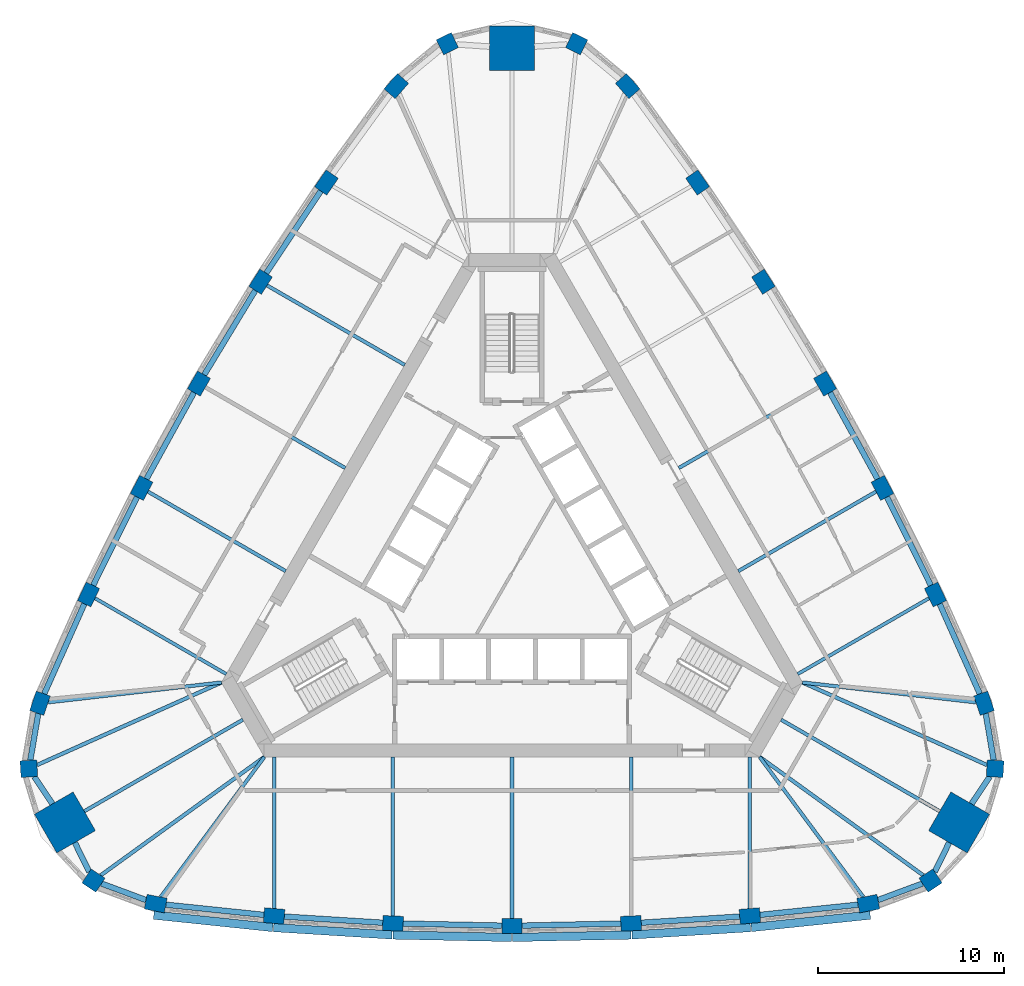
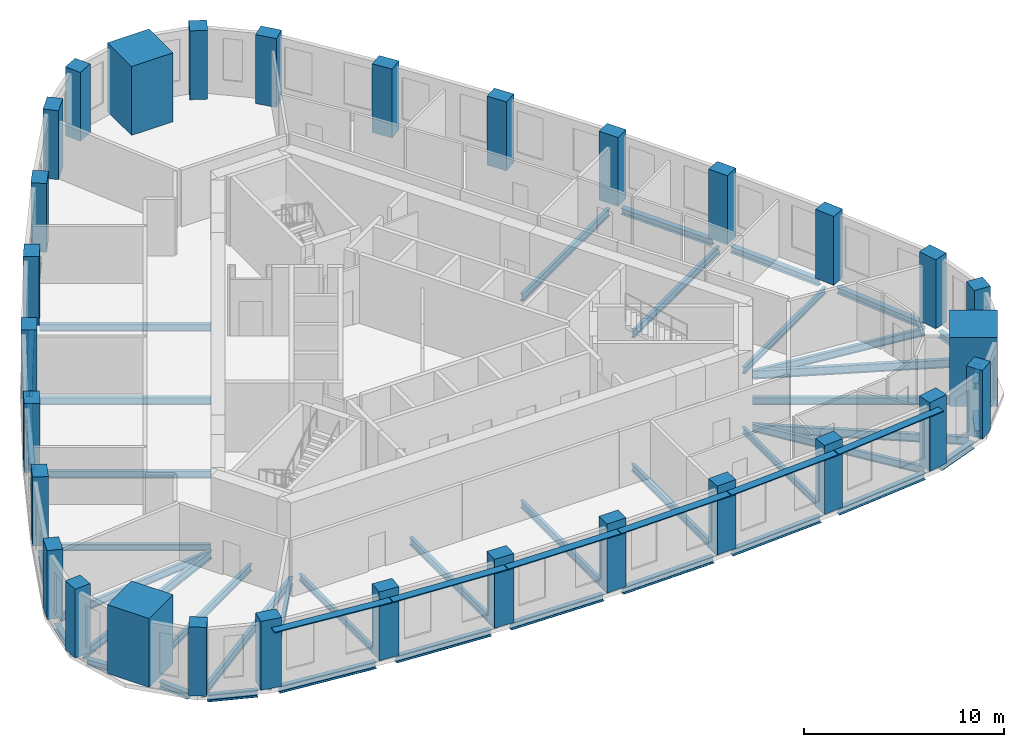
# One storey, part 1 of 10: 44 beams, 30 columns, 6 members.
"""IFC4 building model written with IfcOpenShell, lengths in metres."""

from ifc_helpers import new_model, si_unit, direction, frame, origin, origin_2d, place, context, subcontext, project, spatial, rectangle, i_section, extrude, material, material_profile, profile_set, type_object, element, save


model = new_model("IFC4")

# Units and contexts
model_context = context("Model", 3, precision=1e-05, world=origin(), true_north=direction((0.0, 1.0)))
body_context = subcontext(model_context, "Body", "Model", "MODEL_VIEW")
ifc_project = project(units=[si_unit("LENGTHUNIT", "METRE"), si_unit("AREAUNIT", "SQUARE_METRE"), si_unit("VOLUMEUNIT", "CUBIC_METRE"), si_unit("PLANEANGLEUNIT", "RADIAN"), si_unit("MASSUNIT", "GRAM", prefix="KILO")], contexts=[model_context])

# Site, building, storey
site_placement = place(None, origin())
site = spatial("IfcSite", under=ifc_project, at=site_placement, CompositionType="ELEMENT")
building_placement = place(site_placement, origin())
building = spatial("IfcBuilding", under=site, at=building_placement, Name="Mestral Congress Tower", CompositionType="ELEMENT")
storey_placement = place(building_placement, frame((0.0, 0.0, 235.199951171875)))
storey = spatial("IfcBuildingStorey", under=building, at=storey_placement, Name="L55", CompositionType="ELEMENT", Elevation=235.199951171875)

# Columns
ifc_material_1 = material(Name="Concrete C60/75", Category="concrete")
ifc_material_profile_1 = material_profile(ifc_material_1, rectangle(XDim=1.10009765625, YDim=0.800048828125, at=origin_2d()), Name="RC 1100x800")
ifc_profile_set_1 = profile_set([ifc_material_profile_1], Name="Concrete C60/75")
column_type_1 = type_object("IfcColumnType", Name="Column RC 1100x800 C60/75", PredefinedType="COLUMN", material=ifc_profile_set_1)
for number, where, z_axis, x_axis, name in (
    (1, (-19.150390625, -18.23681640625, 0.0), (0.0, 0.0, 1.0), (0.981324571854, -0.192359259395, 0.0), "COL-L55-C4-S00"),
    (2, (-12.785400390625, -18.899658203125, 0.0), (0.0, 0.0, 1.0), (0.996556680667, -0.082914306473, 0.0), "COL-L55-C4-S01"),
    (3, (-6.398193359375, -19.2978515625, 0.0), (0.0, 0.0, 1.0), (0.999138835542, -0.041492015025, 0.0), "COL-L55-C4-S02"),
    (4, (0.0, -19.4306640625, 0.0), (0.0, 0.0, 1.0), (1.0, 0.0, 0.0), "COL-L55-C4-S03"),
    (5, (6.398193359375, -19.2978515625, 0.0), (0.0, 0.0, 1.0), (0.999138835542, 0.041492015025, 0.0), "COL-L55-C4-S04"),
    (6, (12.785400390625, -18.899658203125, 0.0), (0.0, 0.0, 1.0), (0.996556680667, 0.082914306473, 0.0), "COL-L55-C4-S05"),
    (7, (19.150390625, -18.23681640625, 0.0), (0.0, 0.0, 1.0), (0.981324571854, 0.192359259395, 0.0), "COL-L55-C4-S06"),
    (8, (25.368896484375, -7.46630859375, 0.0), (0.0, 0.0, 1.0), (-0.324074280638, 0.946031638281, 0.0), "COL-L55-C4-E00"),
    (9, (22.76025390625, -1.62255859375, 0.0), (0.0, 0.0, 1.0), (-0.426472444591, 0.904500555005, 0.0), "COL-L55-C4-E01"),
    (10, (19.91162109375, 4.10791015625, 0.0), (0.0, 0.0, 1.0), (-0.463636278705, 0.886025621, 0.0), "COL-L55-C4-E02"),
    (11, (16.827392578125, 9.71533203125, 0.0), (0.0, 0.0, 1.0), (-0.5, 0.866025403784, 0.0), "COL-L55-C4-E03"),
    (12, (13.51318359375, 15.18994140625, 0.0), (0.0, 0.0, 1.0), (-0.535502556837, 0.844533605975, 0.0), "COL-L55-C4-E04"),
    (13, (9.974853515625, 20.522216796875, 0.0), (0.0, 0.0, 1.0), (-0.570084236076, 0.821586248532, 0.0), "COL-L55-C4-E05"),
    (14, (6.218505859375, 25.703125, 0.0), (0.0, 0.0, 1.0), (-0.657250291216, 0.753672378886, 0.0), "COL-L55-C4-E06"),
    (15, (-6.218505859375, 25.703125, 0.0), (0.0, 0.0, 1.0), (-0.657250291216, -0.753672378886, 0.0), "COL-L55-C4-W00"),
    (16, (-9.974853515625, 20.522216796875, 0.0), (0.0, 0.0, 1.0), (-0.570084236076, -0.821586248532, 0.0), "COL-L55-C4-W01"),
    (17, (-13.51318359375, 15.18994140625, 0.0), (0.0, 0.0, 1.0), (-0.535502556837, -0.844533605975, 0.0), "COL-L55-C4-W02"),
    (18, (-16.827392578125, 9.71533203125, 0.0), (0.0, 0.0, 1.0), (-0.5, -0.866025403784, 0.0), "COL-L55-C4-W03"),
    (19, (-19.91162109375, 4.10791015625, 0.0), (0.0, 0.0, 1.0), (-0.463636278705, -0.886025621, 0.0), "COL-L55-C4-W04"),
    (20, (-22.76025390625, -1.62255859375, 0.0), (0.0, 0.0, 1.0), (-0.426472444591, -0.904500555005, 0.0), "COL-L55-C4-W05"),
    (21, (-25.368896484375, -7.46630859375, 0.0), (0.0, 0.0, 1.0), (-0.324074280638, -0.946031638281, 0.0), "COL-L55-C4-W06"),
):
    element("IfcColumn", number, at=place(storey_placement, frame(where, z_axis=z_axis, x_axis=x_axis)), inside=storey, type_object=column_type_1, Name=name, PredefinedType="COLUMN", context=body_context, shape_type="SweptSolid", body=[
        extrude(rectangle(XDim=1.10009765625, YDim=0.800048828125, at=origin_2d()), origin(), (0.0, 0.0, 1.0), 4.199951171875),
    ])
ifc_material_profile_2 = material_profile(ifc_material_1, rectangle(XDim=0.89990234375, YDim=0.89990234375, at=origin_2d()), Name="RC 900x900")
ifc_profile_set_2 = profile_set([ifc_material_profile_2], Name="Concrete C60/75")
column_type_2 = type_object("IfcColumnType", Name="Column RC 900x900 C60/75", PredefinedType="COLUMN", material=ifc_profile_set_2)
for number, where, z_axis, x_axis, name in (
    (22, (22.494384765625, -16.99658203125, 0.0), (0.0, 0.0, 1.0), (0.833238868178, 0.552913183563, 0.0), "COL-L55-C4-SE1"),
    (23, (25.966552734375, -10.982421875, 0.0), (0.0, 0.0, 1.0), (0.062217428964, 0.998062619044, 0.0), "COL-L55-C4-SE3"),
    (24, (3.47216796875, 27.97900390625, 0.0), (0.0, 0.0, 1.0), (-0.895456297142, 0.445149435481, 0.0), "COL-L55-C4-N1"),
    (25, (-3.47216796875, 27.97900390625, 0.0), (0.0, 0.0, 1.0), (-0.895456297142, -0.445149435481, 0.0), "COL-L55-C4-N3"),
    (26, (-25.966552734375, -10.982421875, 0.0), (0.0, 0.0, 1.0), (0.062217428964, -0.998062619044, 0.0), "COL-L55-C4-SW1"),
    (27, (-22.494384765625, -16.99658203125, 0.0), (0.0, 0.0, 1.0), (0.833238868178, -0.552913183563, 0.0), "COL-L55-C4-SW3"),
):
    element("IfcColumn", number, at=place(storey_placement, frame(where, z_axis=z_axis, x_axis=x_axis)), inside=storey, type_object=column_type_2, Name=name, PredefinedType="COLUMN", context=body_context, shape_type="SweptSolid", body=[
        extrude(rectangle(XDim=0.89990234375, YDim=0.89990234375, at=origin_2d()), origin(), (0.0, 0.0, 1.0), 4.199951171875),
    ])
ifc_material_2 = material(Name="Concrete C70/85", Category="concrete")
ifc_material_profile_3 = material_profile(ifc_material_2, rectangle(XDim=2.39990234375, YDim=2.39990234375, at=origin_2d()), Name="RC 2400x2400")
ifc_profile_set_3 = profile_set([ifc_material_profile_3], Name="Concrete C70/85")
column_type_3 = type_object("IfcColumnType", Name="Mega column RC 2400x2400 C70/85", PredefinedType="COLUMN", material=ifc_profile_set_3)
for number, where, z_axis, x_axis, name in (
    (28, (24.02734375, -13.872314453125, 0.0), (0.0, 0.0, 1.0), (0.866025403784, -0.5, 0.0), "COL-L55-PY4-SE"),
    (29, (0.0, 27.744384765625, 0.0), (0.0, 0.0, 1.0), (0.0, 1.0, 0.0), "COL-L55-PY4-N"),
    (30, (-24.02734375, -13.872314453125, 0.0), (0.0, 0.0, 1.0), (-0.866025403784, -0.5, 0.0), "COL-L55-PY4-SW"),
):
    element("IfcColumn", number, at=place(storey_placement, frame(where, z_axis=z_axis, x_axis=x_axis)), inside=storey, type_object=column_type_3, Name=name, PredefinedType="COLUMN", context=body_context, shape_type="SweptSolid", body=[
        extrude(rectangle(XDim=2.39990234375, YDim=2.39990234375, at=origin_2d()), origin(), (0.0, 0.0, 1.0), 4.199951171875),
    ])

# Members
ifc_material_3 = material(Name="Glazed ceramic", Category="masonry")
ifc_material_profile_4 = material_profile(ifc_material_3, rectangle(XDim=0.449951171875, YDim=0.06005859375, at=origin_2d()), Name="Ceramic blade 450 x 60")
ifc_profile_set_4 = profile_set([ifc_material_profile_4], Name="Glazed ceramic")
member_type = type_object("IfcMemberType", Name="Facade sunshade blade 450 x 60", PredefinedType="USERDEFINED", material=ifc_profile_set_4)
member_1_placement = place(storey_placement, frame((-19.251708984375, -18.8544921875, 3.679931640625), z_axis=(0.994617919471, -0.103610782581, 0.0), x_axis=(0.103610782581, 0.994617919471, 0.0)))
element("IfcMember", 31, at=member_1_placement, inside=storey, type_object=member_type, Name="Sunshade F0-00", ObjectType="SUNSHADE", PredefinedType="USERDEFINED", context=body_context, shape_type="SweptSolid", body=[
    extrude(rectangle(XDim=0.449951171875, YDim=0.06005859375, at=origin_2d()), origin(), (0.0, 0.0, 1.0), 6.42578125),
])
member_2_placement = place(storey_placement, frame((-12.8134765625, -19.524169921875, 3.679931640625), z_axis=(0.99806373271, -0.062199561482, 0.0), x_axis=(0.062199561482, 0.99806373271, 0.0)))
element("IfcMember", 32, at=member_2_placement, inside=storey, type_object=member_type, Name="Sunshade F0-01", ObjectType="SUNSHADE", PredefinedType="USERDEFINED", context=body_context, shape_type="SweptSolid", body=[
    extrude(rectangle(XDim=0.449951171875, YDim=0.06005859375, at=origin_2d()), origin(), (0.0, 0.0, 1.0), 6.37841796875),
])
for number, where, z_axis, x_axis, name in (
    (33, (-6.400390625, -19.9228515625, 3.679931640625), (0.99978476383, -0.0207467109, 0.0), (0.0207467109, 0.99978476383, 0.0), "Sunshade F0-02"),
    (34, (0.023681640625, -20.05517578125, 3.679931640625), (0.99978476383, 0.0207467109, 0.0), (-0.0207467109, 0.99978476383, 0.0), "Sunshade F0-03"),
):
    element("IfcMember", number, at=place(storey_placement, frame(where, z_axis=z_axis, x_axis=x_axis)), inside=storey, type_object=member_type, Name=name, ObjectType="SUNSHADE", PredefinedType="USERDEFINED", context=body_context, shape_type="SweptSolid", body=[
        extrude(rectangle(XDim=0.449951171875, YDim=0.06005859375, at=origin_2d()), origin(), (0.0, 0.0, 1.0), 6.378173828125),
    ])
member_3_placement = place(storey_placement, frame((6.447509765625, -19.9208984375, 3.679931640625), z_axis=(0.99806373271, 0.062199561482, 0.0), x_axis=(-0.062199561482, 0.99806373271, 0.0)))
element("IfcMember", 35, at=member_3_placement, inside=storey, type_object=member_type, Name="Sunshade F0-04", ObjectType="SUNSHADE", PredefinedType="USERDEFINED", context=body_context, shape_type="SweptSolid", body=[
    extrude(rectangle(XDim=0.449951171875, YDim=0.06005859375, at=origin_2d()), origin(), (0.0, 0.0, 1.0), 6.37841796875),
])
member_4_placement = place(storey_placement, frame((12.860595703125, -19.520263671875, 3.679931640625), z_axis=(0.994617919471, 0.103610782581, 0.0), x_axis=(-0.103610782581, 0.994617919471, 0.0)))
element("IfcMember", 36, at=member_4_placement, inside=storey, type_object=member_type, Name="Sunshade F0-05", ObjectType="SUNSHADE", PredefinedType="USERDEFINED", context=body_context, shape_type="SweptSolid", body=[
    extrude(rectangle(XDim=0.449951171875, YDim=0.06005859375, at=origin_2d()), origin(), (0.0, 0.0, 1.0), 6.42578125),
])

# Beams
ifc_material_4 = material(Name="Steel S355", Category="steel")
ifc_material_profile_5 = material_profile(ifc_material_4, i_section(OverallWidth=0.179931640625, OverallDepth=0.39990234375, WebThickness=0.008544921875, FlangeThickness=0.013427734375, FilletRadius=0.02099609375, at=origin_2d()), Name="IPE 400")
ifc_profile_set_5 = profile_set([ifc_material_profile_5], Name="Steel S355")
beam_type_1 = type_object("IfcBeamType", Name="Floor beam IPE 400 S355", PredefinedType="BEAM", material=ifc_profile_set_5)
for number, where, z_axis, x_axis, name in (
    (37, (-12.785400390625, -18.498291015625, -0.449951171875), (0.0, 1.0, 0.0), (-1.0, 0.0, 0.0), "BM-L55-RB4-S01"),
    (38, (12.785400390625, -18.498291015625, -0.449951171875), (0.0, 1.0, 0.0), (-1.0, 0.0, 0.0), "BM-L55-RB4-S05"),
):
    element("IfcBeam", number, at=place(storey_placement, frame(where, z_axis=z_axis, x_axis=x_axis)), inside=storey, type_object=beam_type_1, Name=name, PredefinedType="BEAM", context=body_context, shape_type="SweptSolid", body=[
        extrude(i_section(OverallWidth=0.179931640625, OverallDepth=0.39990234375, WebThickness=0.008544921875, FlangeThickness=0.013427734375, FilletRadius=0.02099609375, at=origin_2d()), origin(), (0.0, 0.0, 1.0), 8.148193359375),
    ])
for number, where, z_axis, x_axis, name in (
    (39, (22.41259765625, -1.8232421875, -0.449951171875), (-0.866021929094, -0.500006018292, 0.0), (0.500006018292, -0.866021929094, 0.0), "BM-L55-RB4-E01"),
    (40, (-22.41259765625, -1.8232421875, -0.449951171875), (0.866021929094, -0.500006018292, 0.0), (0.500006018292, 0.866021929094, 0.0), "BM-L55-RB4-W05"),
):
    element("IfcBeam", number, at=place(storey_placement, frame(where, z_axis=z_axis, x_axis=x_axis)), inside=storey, type_object=beam_type_1, Name=name, PredefinedType="BEAM", context=body_context, shape_type="SweptSolid", body=[
        extrude(i_section(OverallWidth=0.179931640625, OverallDepth=0.39990234375, WebThickness=0.008544921875, FlangeThickness=0.013427734375, FilletRadius=0.02099609375, at=origin_2d()), origin(), (0.0, 0.0, 1.0), 8.1484375),
    ])
ifc_material_profile_6 = material_profile(ifc_material_4, i_section(OverallWidth=0.18994140625, OverallDepth=0.449951171875, WebThickness=0.009521484375, FlangeThickness=0.0146484375, FilletRadius=0.02099609375, at=origin_2d()), Name="IPE 450")
ifc_profile_set_6 = profile_set([ifc_material_profile_6], Name="Steel S355")
beam_type_2 = type_object("IfcBeamType", Name="Floor beam IPE 450 S355", PredefinedType="BEAM", material=ifc_profile_set_6)
beam_1_placement = place(storey_placement, frame((-18.88671875, -17.880859375, -0.474853515625), z_axis=(0.595263059859, 0.803530888994, 0.0), x_axis=(-0.803530888994, 0.595263059859, 0.0)))
element("IfcBeam", 41, at=beam_1_placement, inside=storey, type_object=beam_type_2, Name="BM-L55-RB4-S00", PredefinedType="BEAM", context=body_context, shape_type="SweptSolid", body=[
    extrude(i_section(OverallWidth=0.18994140625, OverallDepth=0.449951171875, WebThickness=0.009521484375, FlangeThickness=0.0146484375, FilletRadius=0.02099609375, at=origin_2d()), origin(), (0.0, 0.0, 1.0), 9.3720703125),
])
beam_2_placement = place(storey_placement, frame((-6.398193359375, -18.8974609375, -0.474853515625), z_axis=(0.0, 1.0, 0.0), x_axis=(-1.0, 0.0, 0.0)))
element("IfcBeam", 42, at=beam_2_placement, inside=storey, type_object=beam_type_2, Name="BM-L55-RB4-S02", PredefinedType="BEAM", context=body_context, shape_type="SweptSolid", body=[
    extrude(i_section(OverallWidth=0.18994140625, OverallDepth=0.449951171875, WebThickness=0.009521484375, FlangeThickness=0.0146484375, FilletRadius=0.02099609375, at=origin_2d()), origin(), (0.0, 0.0, 1.0), 8.54736328125),
])
beam_3_placement = place(storey_placement, frame((0.0, -19.030517578125, -0.474853515625), z_axis=(0.0, 1.0, 0.0), x_axis=(-1.0, 0.0, 0.0)))
element("IfcBeam", 43, at=beam_3_placement, inside=storey, type_object=beam_type_2, Name="BM-L55-RB4-S03", PredefinedType="BEAM", context=body_context, shape_type="SweptSolid", body=[
    extrude(i_section(OverallWidth=0.18994140625, OverallDepth=0.449951171875, WebThickness=0.009521484375, FlangeThickness=0.0146484375, FilletRadius=0.02099609375, at=origin_2d()), origin(), (0.0, 0.0, 1.0), 8.680419921875),
])
beam_4_placement = place(storey_placement, frame((6.398193359375, -18.8974609375, -0.474853515625), z_axis=(0.0, 1.0, 0.0), x_axis=(-1.0, 0.0, 0.0)))
element("IfcBeam", 44, at=beam_4_placement, inside=storey, type_object=beam_type_2, Name="BM-L55-RB4-S04", PredefinedType="BEAM", context=body_context, shape_type="SweptSolid", body=[
    extrude(i_section(OverallWidth=0.18994140625, OverallDepth=0.449951171875, WebThickness=0.009521484375, FlangeThickness=0.0146484375, FilletRadius=0.02099609375, at=origin_2d()), origin(), (0.0, 0.0, 1.0), 8.54736328125),
])
beam_5_placement = place(storey_placement, frame((18.88671875, -17.880859375, -0.474853515625), z_axis=(-0.595263059859, 0.803530888994, 0.0), x_axis=(-0.803530888994, -0.595263059859, 0.0)))
element("IfcBeam", 45, at=beam_5_placement, inside=storey, type_object=beam_type_2, Name="BM-L55-RB4-S06", PredefinedType="BEAM", context=body_context, shape_type="SweptSolid", body=[
    extrude(i_section(OverallWidth=0.18994140625, OverallDepth=0.449951171875, WebThickness=0.009521484375, FlangeThickness=0.0146484375, FilletRadius=0.02099609375, at=origin_2d()), origin(), (0.0, 0.0, 1.0), 9.3720703125),
])
beam_6_placement = place(storey_placement, frame((22.98828125, -13.272216796875, -0.474853515625), z_axis=(-0.866021631874, 0.500006533084, 0.0), x_axis=(-0.500006533084, -0.866021631874, 0.0)))
element("IfcBeam", 46, at=beam_6_placement, inside=storey, type_object=beam_type_2, Name="BM-L55-RB4-SE", PredefinedType="BEAM", context=body_context, shape_type="SweptSolid", body=[
    extrude(i_section(OverallWidth=0.18994140625, OverallDepth=0.449951171875, WebThickness=0.009521484375, FlangeThickness=0.0146484375, FilletRadius=0.02099609375, at=origin_2d()), origin(), (0.0, 0.0, 1.0), 9.844482421875),
])
beam_7_placement = place(storey_placement, frame((24.9287109375, -7.416015625, -0.474853515625), z_axis=(-0.99351166529, 0.11373025513, 0.0), x_axis=(-0.11373025513, -0.99351166529, 0.0)))
element("IfcBeam", 47, at=beam_7_placement, inside=storey, type_object=beam_type_2, Name="BM-L55-RB4-E00", PredefinedType="BEAM", context=body_context, shape_type="SweptSolid", body=[
    extrude(i_section(OverallWidth=0.18994140625, OverallDepth=0.449951171875, WebThickness=0.009521484375, FlangeThickness=0.0146484375, FilletRadius=0.02099609375, at=origin_2d()), origin(), (0.0, 0.0, 1.0), 9.372314453125),
])
beam_8_placement = place(storey_placement, frame((19.564697265625, 3.90771484375, -0.474853515625), z_axis=(-0.866028621479, -0.499994426748, 0.0), x_axis=(0.499994426748, -0.866028621479, 0.0)))
element("IfcBeam", 48, at=beam_8_placement, inside=storey, type_object=beam_type_2, Name="BM-L55-RB4-E02", PredefinedType="BEAM", context=body_context, shape_type="SweptSolid", body=[
    extrude(i_section(OverallWidth=0.18994140625, OverallDepth=0.449951171875, WebThickness=0.009521484375, FlangeThickness=0.0146484375, FilletRadius=0.02099609375, at=origin_2d()), origin(), (0.0, 0.0, 1.0), 8.54736328125),
])
beam_9_placement = place(storey_placement, frame((16.48095703125, 9.515380859375, -0.474853515625), z_axis=(-0.866022596503, -0.500004862322, 0.0), x_axis=(0.500004862322, -0.866022596503, 0.0)))
element("IfcBeam", 49, at=beam_9_placement, inside=storey, type_object=beam_type_2, Name="BM-L55-RB4-E03", PredefinedType="BEAM", context=body_context, shape_type="SweptSolid", body=[
    extrude(i_section(OverallWidth=0.18994140625, OverallDepth=0.449951171875, WebThickness=0.009521484375, FlangeThickness=0.0146484375, FilletRadius=0.02099609375, at=origin_2d()), origin(), (0.0, 0.0, 1.0), 8.6806640625),
])
beam_10_placement = place(storey_placement, frame((-13.16650390625, 14.98974609375, -0.474853515625), z_axis=(0.866028621479, -0.499994426748, 0.0), x_axis=(0.499994426748, 0.866028621479, 0.0)))
element("IfcBeam", 50, at=beam_10_placement, inside=storey, type_object=beam_type_2, Name="BM-L55-RB4-W02", PredefinedType="BEAM", context=body_context, shape_type="SweptSolid", body=[
    extrude(i_section(OverallWidth=0.18994140625, OverallDepth=0.449951171875, WebThickness=0.009521484375, FlangeThickness=0.0146484375, FilletRadius=0.02099609375, at=origin_2d()), origin(), (0.0, 0.0, 1.0), 8.54736328125),
])
beam_11_placement = place(storey_placement, frame((-16.48095703125, 9.515380859375, -0.474853515625), z_axis=(0.866022596503, -0.500004862322, 0.0), x_axis=(0.500004862322, 0.866022596503, 0.0)))
element("IfcBeam", 51, at=beam_11_placement, inside=storey, type_object=beam_type_2, Name="BM-L55-RB4-W03", PredefinedType="BEAM", context=body_context, shape_type="SweptSolid", body=[
    extrude(i_section(OverallWidth=0.18994140625, OverallDepth=0.449951171875, WebThickness=0.009521484375, FlangeThickness=0.0146484375, FilletRadius=0.02099609375, at=origin_2d()), origin(), (0.0, 0.0, 1.0), 8.6806640625),
])
beam_12_placement = place(storey_placement, frame((-19.564697265625, 3.90771484375, -0.474853515625), z_axis=(0.866028621479, -0.499994426748, 0.0), x_axis=(0.499994426748, 0.866028621479, 0.0)))
element("IfcBeam", 52, at=beam_12_placement, inside=storey, type_object=beam_type_2, Name="BM-L55-RB4-W04", PredefinedType="BEAM", context=body_context, shape_type="SweptSolid", body=[
    extrude(i_section(OverallWidth=0.18994140625, OverallDepth=0.449951171875, WebThickness=0.009521484375, FlangeThickness=0.0146484375, FilletRadius=0.02099609375, at=origin_2d()), origin(), (0.0, 0.0, 1.0), 8.54736328125),
])
beam_13_placement = place(storey_placement, frame((-24.9287109375, -7.416015625, -0.474853515625), z_axis=(0.99351166529, 0.11373025513, 0.0), x_axis=(-0.11373025513, 0.99351166529, 0.0)))
element("IfcBeam", 53, at=beam_13_placement, inside=storey, type_object=beam_type_2, Name="BM-L55-RB4-W06", PredefinedType="BEAM", context=body_context, shape_type="SweptSolid", body=[
    extrude(i_section(OverallWidth=0.18994140625, OverallDepth=0.449951171875, WebThickness=0.009521484375, FlangeThickness=0.0146484375, FilletRadius=0.02099609375, at=origin_2d()), origin(), (0.0, 0.0, 1.0), 9.372314453125),
])
beam_14_placement = place(storey_placement, frame((-22.98828125, -13.272216796875, -0.474853515625), z_axis=(0.866021631874, 0.500006533084, 0.0), x_axis=(-0.500006533084, 0.866021631874, 0.0)))
element("IfcBeam", 54, at=beam_14_placement, inside=storey, type_object=beam_type_2, Name="BM-L55-RB4-SW", PredefinedType="BEAM", context=body_context, shape_type="SweptSolid", body=[
    extrude(i_section(OverallWidth=0.18994140625, OverallDepth=0.449951171875, WebThickness=0.009521484375, FlangeThickness=0.0146484375, FilletRadius=0.02099609375, at=origin_2d()), origin(), (0.0, 0.0, 1.0), 9.844482421875),
])
ifc_material_profile_7 = material_profile(ifc_material_4, i_section(OverallWidth=0.199951171875, OverallDepth=0.5, WebThickness=0.01025390625, FlangeThickness=0.01611328125, FilletRadius=0.02099609375, at=origin_2d()), Name="IPE 500")
ifc_profile_set_7 = profile_set([ifc_material_profile_7], Name="Steel S355")
beam_type_3 = type_object("IfcBeamType", Name="Floor beam IPE 500 S355", PredefinedType="BEAM", material=ifc_profile_set_7)
beam_15_placement = place(storey_placement, frame((22.10498046875, -16.71484375, -0.5), z_axis=(-0.810186242112, 0.586172545496, 0.0), x_axis=(-0.586172545496, -0.810186242112, 0.0)))
element("IfcBeam", 55, at=beam_15_placement, inside=storey, type_object=beam_type_3, Name="BM-L55-RB4-SE1", PredefinedType="BEAM", context=body_context, shape_type="SweptSolid", body=[
    extrude(i_section(OverallWidth=0.199951171875, OverallDepth=0.5, WebThickness=0.01025390625, FlangeThickness=0.01611328125, FilletRadius=0.02099609375, at=origin_2d()), origin(), (0.0, 0.0, 1.0), 10.858154296875),
])
for number, where, z_axis, x_axis, name in (
    (56, (25.528076171875, -10.7861328125, -0.5), (-0.912742142995, 0.408536143323, 0.0), (-0.408536143323, -0.912742142995, 0.0), "BM-L55-RB4-SE3"),
    (57, (-25.528076171875, -10.7861328125, -0.5), (0.912742142995, 0.408536143323, 0.0), (-0.408536143323, 0.912742142995, 0.0), "BM-L55-RB4-SW1"),
):
    element("IfcBeam", number, at=place(storey_placement, frame(where, z_axis=z_axis, x_axis=x_axis)), inside=storey, type_object=beam_type_3, Name=name, PredefinedType="BEAM", context=body_context, shape_type="SweptSolid", body=[
        extrude(i_section(OverallWidth=0.199951171875, OverallDepth=0.5, WebThickness=0.01025390625, FlangeThickness=0.01611328125, FilletRadius=0.02099609375, at=origin_2d()), origin(), (0.0, 0.0, 1.0), 10.8583984375),
    ])
beam_16_placement = place(storey_placement, frame((-22.10498046875, -16.71484375, -0.5), z_axis=(0.810186242112, 0.586172545496, 0.0), x_axis=(-0.586172545496, 0.810186242112, 0.0)))
element("IfcBeam", 58, at=beam_16_placement, inside=storey, type_object=beam_type_3, Name="BM-L55-RB4-SW3", PredefinedType="BEAM", context=body_context, shape_type="SweptSolid", body=[
    extrude(i_section(OverallWidth=0.199951171875, OverallDepth=0.5, WebThickness=0.01025390625, FlangeThickness=0.01611328125, FilletRadius=0.02099609375, at=origin_2d()), origin(), (0.0, 0.0, 1.0), 10.858154296875),
])
ifc_material_profile_8 = material_profile(ifc_material_4, i_section(OverallWidth=0.300048828125, OverallDepth=0.389892578125, WebThickness=0.010986328125, FlangeThickness=0.01904296875, FilletRadius=0.027099609375, at=origin_2d()), Name="HEA 400")
ifc_profile_set_8 = profile_set([ifc_material_profile_8], Name="Steel S355")
beam_type_4 = type_object("IfcBeamType", Name="Spandrel beam HEA 400 S355", PredefinedType="BEAM", material=ifc_profile_set_8)
beam_17_placement = place(storey_placement, frame((-18.60107421875, -18.2939453125, -0.445068359375), z_axis=(0.994618013093, -0.103609883848, 0.0), x_axis=(0.103609883848, 0.994618013093, 0.0)))
element("IfcBeam", 59, at=beam_17_placement, inside=storey, type_object=beam_type_4, Name="SP-L55-SB4-S00", PredefinedType="BEAM", context=body_context, shape_type="SweptSolid", body=[
    extrude(i_section(OverallWidth=0.300048828125, OverallDepth=0.389892578125, WebThickness=0.010986328125, FlangeThickness=0.01904296875, FilletRadius=0.027099609375, at=origin_2d()), origin(), (0.0, 0.0, 1.0), 5.297119140625),
])
for number, where, z_axis, x_axis, name in (
    (60, (-12.236328125, -18.933837890625, -0.445068359375), (0.998061173507, -0.062240613248, 0.0), (0.062240613248, 0.998061173507, 0.0), "SP-L55-SB4-S01"),
    (61, (-5.84814453125, -19.309326171875, -0.445068359375), (0.999785070758, -0.020731914743, 0.0), (0.020731914743, 0.999785070758, 0.0), "SP-L55-SB4-S02"),
    (62, (0.550048828125, -19.419189453125, -0.445068359375), (0.999785070758, 0.020731914743, 0.0), (-0.020731914743, 0.999785070758, 0.0), "SP-L55-SB4-S03"),
    (63, (6.947265625, -19.263671875, -0.445068359375), (0.998061173507, 0.062240613248, 0.0), (-0.062240613248, 0.998061173507, 0.0), "SP-L55-SB4-S04"),
):
    element("IfcBeam", number, at=place(storey_placement, frame(where, z_axis=z_axis, x_axis=x_axis)), inside=storey, type_object=beam_type_4, Name=name, PredefinedType="BEAM", context=body_context, shape_type="SweptSolid", body=[
        extrude(i_section(OverallWidth=0.300048828125, OverallDepth=0.389892578125, WebThickness=0.010986328125, FlangeThickness=0.01904296875, FilletRadius=0.027099609375, at=origin_2d()), origin(), (0.0, 0.0, 1.0), 5.29931640625),
    ])
beam_18_placement = place(storey_placement, frame((13.33251953125, -18.8427734375, -0.445068359375), z_axis=(0.994618013093, 0.103609883848, 0.0), x_axis=(-0.103609883848, 0.994618013093, 0.0)))
element("IfcBeam", 64, at=beam_18_placement, inside=storey, type_object=beam_type_4, Name="SP-L55-SB4-S05", PredefinedType="BEAM", context=body_context, shape_type="SweptSolid", body=[
    extrude(i_section(OverallWidth=0.300048828125, OverallDepth=0.389892578125, WebThickness=0.010986328125, FlangeThickness=0.01904296875, FilletRadius=0.027099609375, at=origin_2d()), origin(), (0.0, 0.0, 1.0), 5.297119140625),
])
beam_19_placement = place(storey_placement, frame((19.6728515625, -18.04296875, -0.445068359375), z_axis=(0.937591421971, 0.347738875374, 0.0), x_axis=(-0.347738875374, 0.937591421971, 0.0)))
element("IfcBeam", 65, at=beam_19_placement, inside=storey, type_object=beam_type_4, Name="SP-L55-SB4-S06", PredefinedType="BEAM", context=body_context, shape_type="SweptSolid", body=[
    extrude(i_section(OverallWidth=0.300048828125, OverallDepth=0.389892578125, WebThickness=0.010986328125, FlangeThickness=0.01904296875, FilletRadius=0.027099609375, at=origin_2d()), origin(), (0.0, 0.0, 1.0), 2.547119140625),
])
for number, where, z_axis, x_axis, name in (
    (66, (22.723876953125, -16.528564453125, -0.445068359375), (0.440528581483, 0.897738586058, 0.0), (-0.897738586058, 0.440528581483, 0.0), "SP-L55-SB4-SE1"),
    (67, (24.697509765625, -12.87353515625, -0.445068359375), (0.557295931564, 0.830313943435, 0.0), (-0.830313943435, 0.557295931564, 0.0), "SP-L55-SB4-SE"),
):
    element("IfcBeam", number, at=place(storey_placement, frame(where, z_axis=z_axis, x_axis=x_axis)), inside=storey, type_object=beam_type_4, Name=name, PredefinedType="BEAM", context=body_context, shape_type="SweptSolid", body=[
        extrude(i_section(OverallWidth=0.300048828125, OverallDepth=0.389892578125, WebThickness=0.010986328125, FlangeThickness=0.01904296875, FilletRadius=0.027099609375, at=origin_2d()), origin(), (0.0, 0.0, 1.0), 1.75634765625),
    ])
beam_20_placement = place(storey_placement, frame((25.88916015625, -10.52685546875, -0.445068359375), z_axis=(-0.167630891496, 0.98584982843, 0.0), x_axis=(-0.98584982843, -0.167630891496, 0.0)))
element("IfcBeam", 68, at=beam_20_placement, inside=storey, type_object=beam_type_4, Name="SP-L55-SB4-SE3", PredefinedType="BEAM", context=body_context, shape_type="SweptSolid", body=[
    extrude(i_section(OverallWidth=0.300048828125, OverallDepth=0.389892578125, WebThickness=0.010986328125, FlangeThickness=0.01904296875, FilletRadius=0.027099609375, at=origin_2d()), origin(), (0.0, 0.0, 1.0), 2.54736328125),
])
beam_21_placement = place(storey_placement, frame((25.143798828125, -6.9619140625, -0.445068359375), z_axis=(-0.407626134336, 0.913148911518, 0.0), x_axis=(-0.913148911518, -0.407626134336, 0.0)))
element("IfcBeam", 69, at=beam_21_placement, inside=storey, type_object=beam_type_4, Name="SP-L55-SB4-E00", PredefinedType="BEAM", context=body_context, shape_type="SweptSolid", body=[
    extrude(i_section(OverallWidth=0.300048828125, OverallDepth=0.389892578125, WebThickness=0.010986328125, FlangeThickness=0.01904296875, FilletRadius=0.027099609375, at=origin_2d()), origin(), (0.0, 0.0, 1.0), 5.296875),
])
beam_22_placement = place(storey_placement, frame((22.515380859375, -1.1298828125, -0.445068359375), z_axis=(-0.445148375831, 0.895456823914, 0.0), x_axis=(-0.895456823914, -0.445148375831, 0.0)))
element("IfcBeam", 70, at=beam_22_placement, inside=storey, type_object=beam_type_4, Name="SP-L55-SB4-E01", PredefinedType="BEAM", context=body_context, shape_type="SweptSolid", body=[
    extrude(i_section(OverallWidth=0.300048828125, OverallDepth=0.389892578125, WebThickness=0.010986328125, FlangeThickness=0.01904296875, FilletRadius=0.027099609375, at=origin_2d()), origin(), (0.0, 0.0, 1.0), 5.299072265625),
])
beam_23_placement = place(storey_placement, frame((19.646484375, 4.58984375, -0.445068359375), z_axis=(-0.481918749772, 0.876215908677, 0.0), x_axis=(-0.876215908677, -0.481918749772, 0.0)))
element("IfcBeam", 71, at=beam_23_placement, inside=storey, type_object=beam_type_4, Name="SP-L55-SB4-E02", PredefinedType="BEAM", context=body_context, shape_type="SweptSolid", body=[
    extrude(i_section(OverallWidth=0.300048828125, OverallDepth=0.389892578125, WebThickness=0.010986328125, FlangeThickness=0.01904296875, FilletRadius=0.027099609375, at=origin_2d()), origin(), (0.0, 0.0, 1.0), 5.299560546875),
])
for number, where, z_axis, x_axis, name in (
    (72, (-10.279052734375, 20.063720703125, -0.445068359375), (-0.552934106774, -0.833224983762, 0.0), (0.833224983762, -0.552934106774, 0.0), "SP-L55-SB4-W01"),
    (73, (-13.798095703125, 14.71923828125, -0.445068359375), (-0.517865676042, -0.855461946306, 0.0), (0.855461946306, -0.517865676042, 0.0), "SP-L55-SB4-W02"),
):
    element("IfcBeam", number, at=place(storey_placement, frame(where, z_axis=z_axis, x_axis=x_axis)), inside=storey, type_object=beam_type_4, Name=name, PredefinedType="BEAM", context=body_context, shape_type="SweptSolid", body=[
        extrude(i_section(OverallWidth=0.300048828125, OverallDepth=0.389892578125, WebThickness=0.010986328125, FlangeThickness=0.01904296875, FilletRadius=0.027099609375, at=origin_2d()), origin(), (0.0, 0.0, 1.0), 5.29931640625),
    ])
beam_24_placement = place(storey_placement, frame((-17.092529296875, 9.2333984375, -0.445068359375), z_axis=(-0.481918749772, -0.876215908677, 0.0), x_axis=(0.876215908677, -0.481918749772, 0.0)))
element("IfcBeam", 74, at=beam_24_placement, inside=storey, type_object=beam_type_4, Name="SP-L55-SB4-W03", PredefinedType="BEAM", context=body_context, shape_type="SweptSolid", body=[
    extrude(i_section(OverallWidth=0.300048828125, OverallDepth=0.389892578125, WebThickness=0.010986328125, FlangeThickness=0.01904296875, FilletRadius=0.027099609375, at=origin_2d()), origin(), (0.0, 0.0, 1.0), 5.299560546875),
])
beam_25_placement = place(storey_placement, frame((-20.156494140625, 3.615234375, -0.445068359375), z_axis=(-0.445148375831, -0.895456823914, 0.0), x_axis=(0.895456823914, -0.445148375831, 0.0)))
element("IfcBeam", 75, at=beam_25_placement, inside=storey, type_object=beam_type_4, Name="SP-L55-SB4-W04", PredefinedType="BEAM", context=body_context, shape_type="SweptSolid", body=[
    extrude(i_section(OverallWidth=0.300048828125, OverallDepth=0.389892578125, WebThickness=0.010986328125, FlangeThickness=0.01904296875, FilletRadius=0.027099609375, at=origin_2d()), origin(), (0.0, 0.0, 1.0), 5.299072265625),
])
beam_26_placement = place(storey_placement, frame((-22.984619140625, -2.125, -0.445068359375), z_axis=(-0.407626134336, -0.913148911518, 0.0), x_axis=(0.913148911518, -0.407626134336, 0.0)))
element("IfcBeam", 76, at=beam_26_placement, inside=storey, type_object=beam_type_4, Name="SP-L55-SB4-W05", PredefinedType="BEAM", context=body_context, shape_type="SweptSolid", body=[
    extrude(i_section(OverallWidth=0.300048828125, OverallDepth=0.389892578125, WebThickness=0.010986328125, FlangeThickness=0.01904296875, FilletRadius=0.027099609375, at=origin_2d()), origin(), (0.0, 0.0, 1.0), 5.296875),
])
beam_27_placement = place(storey_placement, frame((-25.462158203125, -8.015625, -0.445068359375), z_axis=(-0.167630891496, -0.98584982843, 0.0), x_axis=(0.98584982843, -0.167630891496, 0.0)))
element("IfcBeam", 77, at=beam_27_placement, inside=storey, type_object=beam_type_4, Name="SP-L55-SB4-W06", PredefinedType="BEAM", context=body_context, shape_type="SweptSolid", body=[
    extrude(i_section(OverallWidth=0.300048828125, OverallDepth=0.389892578125, WebThickness=0.010986328125, FlangeThickness=0.01904296875, FilletRadius=0.027099609375, at=origin_2d()), origin(), (0.0, 0.0, 1.0), 2.54736328125),
])
for number, where, z_axis, x_axis, name in (
    (78, (-25.67626953125, -11.415283203125, -0.445068359375), (0.557295931564, -0.830313943435, 0.0), (0.830313943435, 0.557295931564, 0.0), "SP-L55-SB4-SW1"),
    (79, (-23.49755859375, -14.951904296875, -0.445068359375), (0.440528581483, -0.897738586058, 0.0), (0.897738586058, 0.440528581483, 0.0), "SP-L55-SB4-SW"),
):
    element("IfcBeam", number, at=place(storey_placement, frame(where, z_axis=z_axis, x_axis=x_axis)), inside=storey, type_object=beam_type_4, Name=name, PredefinedType="BEAM", context=body_context, shape_type="SweptSolid", body=[
        extrude(i_section(OverallWidth=0.300048828125, OverallDepth=0.389892578125, WebThickness=0.010986328125, FlangeThickness=0.01904296875, FilletRadius=0.027099609375, at=origin_2d()), origin(), (0.0, 0.0, 1.0), 1.75634765625),
    ])
beam_28_placement = place(storey_placement, frame((-22.06103515625, -17.1572265625, -0.445068359375), z_axis=(0.937591421971, -0.347738875374, 0.0), x_axis=(0.347738875374, 0.937591421971, 0.0)))
element("IfcBeam", 80, at=beam_28_placement, inside=storey, type_object=beam_type_4, Name="SP-L55-SB4-SW3", PredefinedType="BEAM", context=body_context, shape_type="SweptSolid", body=[
    extrude(i_section(OverallWidth=0.300048828125, OverallDepth=0.389892578125, WebThickness=0.010986328125, FlangeThickness=0.01904296875, FilletRadius=0.027099609375, at=origin_2d()), origin(), (0.0, 0.0, 1.0), 2.547119140625),
])

save(model, "model.ifc")
